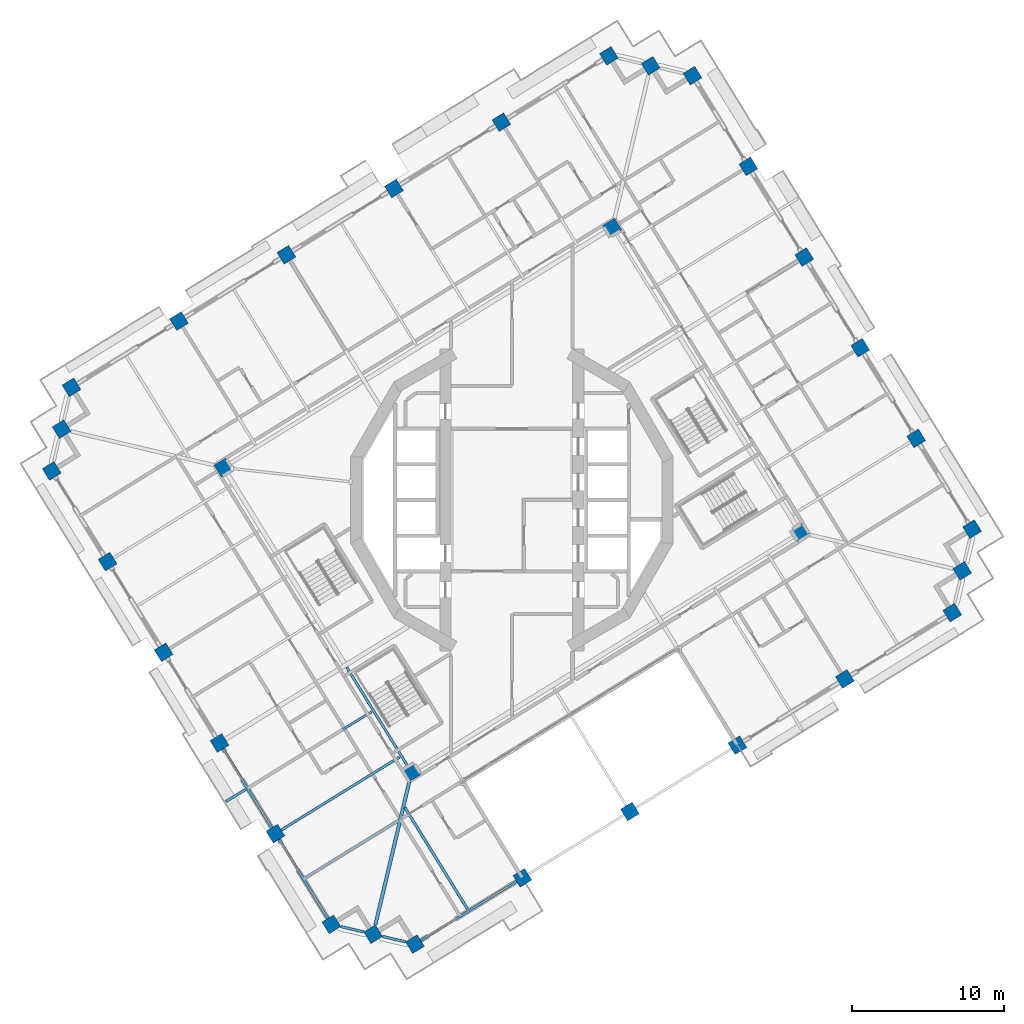
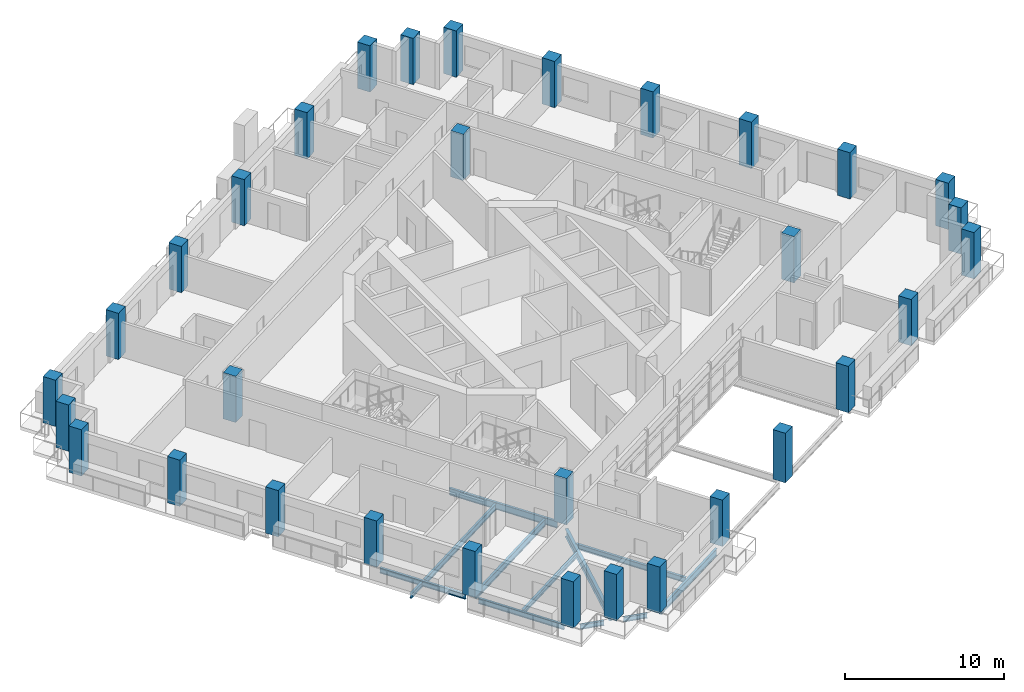
# One storey, part 1 of 22: 32 columns, 12 beams.
"""IFC4 building model written with IfcOpenShell, lengths in metres."""

import ifcopenshell
import ifcopenshell.guid

model = None  # the IFC model being written
_history = None  # IfcOwnerHistory: only IFC2X3 demands one
_inside = {}  # id of a spatial element -> (the spatial element, [elements in it])
_under = {}  # id of a project, library or spatial element -> (it, [spatial elements below it])
_declared = {}  # id of a project -> (the project, [libraries it declares])
_typed = {}  # id of a type object -> (the type object, [elements of that type])
_made_of = {}  # id of a material, layer set ... -> (it, [elements and type objects made of it])


def new_model(schema):
    """Start an empty IFC model of exactly this schema.

    Asked for "IFC4X3", IfcOpenShell would pick the latest addendum, in which some entities
    have other attributes; the version numbers below select the first issue.
    IFC2X3 requires an IfcOwnerHistory on every rooted entity: one is made here for all.
    """
    global model, _history
    if schema == "IFC4X3":
        model = ifcopenshell.file(schema_version=(4, 3, 0, 0))
    else:
        model = ifcopenshell.file(schema=schema)
    _inside.clear()
    _under.clear()
    _declared.clear()
    _typed.clear()
    _made_of.clear()
    _history = None
    if model.schema == "IFC2X3":
        org = make("IfcOrganization", Name="unknown")
        user = make(
            "IfcPersonAndOrganization",
            ThePerson=make("IfcPerson", FamilyName="unknown"),
            TheOrganization=org,
        )
        app = make(
            "IfcApplication",
            ApplicationDeveloper=org,
            Version="unknown",
            ApplicationFullName="unknown",
            ApplicationIdentifier="unknown",
        )
        _history = make(
            "IfcOwnerHistory",
            OwningUser=user,
            OwningApplication=app,
            ChangeAction="ADDED",
            CreationDate=0,
        )
    return model


def make(cls, **values):
    """One entity of the class cls with the attributes given. An attribute that is None is left unset."""
    return model.create_entity(
        cls, **{name: value for name, value in values.items() if value is not None}
    )


def rooted(cls, **values):
    """An entity with a GlobalId (a new one), such as an element, a storey or a relation."""
    return make(cls, GlobalId=ifcopenshell.guid.new(), OwnerHistory=_history, **values)


def si_unit(unit_type, name, prefix=None):
    """IfcSIUnit, for example si_unit("LENGTHUNIT", "METRE", prefix="MILLI")."""
    return make("IfcSIUnit", UnitType=unit_type, Prefix=prefix, Name=name)


def assignment(units):
    """IfcUnitAssignment: the units of a project."""
    return None if units is None else make("IfcUnitAssignment", Units=units)


def point(xyz):
    """IfcCartesianPoint."""
    return None if xyz is None else make("IfcCartesianPoint", Coordinates=xyz)


def direction(xyz):
    """IfcDirection."""
    return None if xyz is None else make("IfcDirection", DirectionRatios=xyz)


def frame(location, z_axis=None, x_axis=None):
    """IfcAxis2Placement3D, a coordinate frame: its origin and axes. An axis left out is left unset."""
    return make(
        "IfcAxis2Placement3D",
        Location=point(location),
        Axis=direction(z_axis),
        RefDirection=direction(x_axis),
    )


def frame_2d(location, x_axis=None):
    """IfcAxis2Placement2D, a coordinate frame in the plane: its origin and x axis."""
    return make(
        "IfcAxis2Placement2D", Location=point(location), RefDirection=direction(x_axis)
    )


def origin():
    """The frame at (0, 0, 0) with its axes left unset."""
    return frame((0.0, 0.0, 0.0))


def origin_2d():
    """The frame at (0, 0) in the plane with its x axis left unset."""
    return frame_2d((0.0, 0.0))


def place(relative_to, where):
    """IfcLocalPlacement: puts the frame where relative to a parent placement (None: the world)."""
    return make(
        "IfcLocalPlacement", PlacementRelTo=relative_to, RelativePlacement=where
    )


def context(
    kind, dimensions, precision=None, world=None, true_north=None, identifier=None
):
    """IfcGeometricRepresentationContext, for example the 3D "Model" context."""
    return make(
        "IfcGeometricRepresentationContext",
        ContextIdentifier=identifier,
        ContextType=kind,
        CoordinateSpaceDimension=dimensions,
        Precision=precision,
        WorldCoordinateSystem=world,
        TrueNorth=true_north,
    )


def subcontext(parent, identifier, kind, view, scale=None):
    """IfcGeometricRepresentationSubContext, for example "Body" below "Model"."""
    return make(
        "IfcGeometricRepresentationSubContext",
        ContextIdentifier=identifier,
        ContextType=kind,
        ParentContext=parent,
        TargetScale=scale,
        TargetView=view,
    )


def project(units=None, contexts=None):
    """IfcProject with its units and contexts."""
    return rooted(
        "IfcProject",
        Name="project",
        RepresentationContexts=contexts,
        UnitsInContext=assignment(units),
    )


def spatial(cls, under=None, at=None, **own):
    """A site, building, storey or space (cls), placed at a placement, below another one or the project."""
    s = rooted(cls, ObjectPlacement=at, **own)
    if under is not None:
        _under.setdefault(under.id(), (under, []))[1].append(s)
    return s


def profile(cls, at=None, kind="AREA", **sizes):
    """A parametric profile (cls). Its sizes go by their IFC names, for example OverallWidth=200.0."""
    return make(cls, ProfileType=kind, Position=at, **sizes)


def rectangle(**sizes):
    """IfcRectangleProfileDef."""
    return profile("IfcRectangleProfileDef", **sizes)


def i_section(**sizes):
    """IfcIShapeProfileDef."""
    return profile("IfcIShapeProfileDef", **sizes)


def extrude(swept, where, along, depth):
    """IfcExtrudedAreaSolid: the profile swept, set in the frame where, extruded along a direction by depth."""
    return make(
        "IfcExtrudedAreaSolid",
        SweptArea=swept,
        Position=where,
        ExtrudedDirection=direction(along),
        Depth=depth,
    )


def shape(context_of_items, identifier, shape_type, items):
    """IfcShapeRepresentation: the items that make up one representation, for example the "Body"."""
    return make(
        "IfcShapeRepresentation",
        ContextOfItems=context_of_items,
        RepresentationIdentifier=identifier,
        RepresentationType=shape_type,
        Items=items,
    )


def material(Name=None, Category=None):
    """IfcMaterial."""
    return make("IfcMaterial", Name=Name, Category=Category)


def material_profile(
    of_material, cross_section, Name=None, Category=None, Priority=None
):
    """IfcMaterialProfile: a cross section and its material."""
    return make(
        "IfcMaterialProfile",
        Name=Name,
        Material=of_material,
        Profile=cross_section,
        Priority=Priority,
        Category=Category,
    )


def profile_set(profiles, Name=None, composite=None):
    """IfcMaterialProfileSet."""
    return make(
        "IfcMaterialProfileSet",
        Name=Name,
        MaterialProfiles=profiles,
        CompositeProfile=composite,
    )


def made_of(thing, what):
    """Note that an element or type object is made of a material, layer set ...; save() writes the relation."""
    if what is not None:
        _made_of.setdefault(what.id(), (what, []))[1].append(thing)
    return thing


def type_object(cls, material=None, **own):
    """A type object (cls), such as IfcWallType, which elements share."""
    return made_of(rooted(cls, **own), material)


def element(
    cls,
    number,
    at=None,
    inside=None,
    cuts=None,
    type_object=None,
    material=None,
    context=None,
    identifier="Body",
    shape_type=None,
    held_by="IfcProductDefinitionShape",
    body=None,
    shapes=None,
    **own,
):
    """One element of the class cls, such as IfcWall. Its Tag is "e" and its number.

    at: its placement. inside: the storey or other place that contains it. cuts: it is an
    opening in that element (IfcRelVoidsElement). A single representation is given by context,
    identifier, shape_type and body (its items); several are given by shapes. held_by: the class
    of the entity that holds the representations. save() writes the other relations.
    """
    e = rooted(cls, Tag="e%d" % number, ObjectPlacement=at, **own)
    if body is not None:
        shapes = [shape(context, identifier, shape_type, body)]
    if shapes is not None:
        e.Representation = make(held_by, Representations=shapes)
    if inside is not None:
        _inside.setdefault(inside.id(), (inside, []))[1].append(e)
    if cuts is not None:
        rooted(
            "IfcRelVoidsElement", RelatingBuildingElement=cuts, RelatedOpeningElement=e
        )
    if type_object is not None:
        _typed.setdefault(type_object.id(), (type_object, []))[1].append(e)
    return made_of(e, material)


def aggregate(whole, parts):
    """IfcRelAggregates: a whole, such as a stair, and the parts it consists of."""
    return rooted("IfcRelAggregates", RelatingObject=whole, RelatedObjects=parts)


def save(model, path):
    """Write the relations noted so far, then the file.

    IfcRelAggregates (storeys below a building ...), IfcRelContainedInSpatialStructure (elements
    in a storey), IfcRelDefinesByType, IfcRelAssociatesMaterial and IfcRelDeclares: one each for
    every whole, place, type object, material and project.
    """
    for whole, parts in _under.values():
        aggregate(whole, parts)
    for where, things in _inside.values():
        rooted(
            "IfcRelContainedInSpatialStructure",
            RelatedElements=things,
            RelatingStructure=where,
        )
    for kind, things in _typed.values():
        rooted("IfcRelDefinesByType", RelatedObjects=things, RelatingType=kind)
    for what, things in _made_of.values():
        rooted("IfcRelAssociatesMaterial", RelatedObjects=things, RelatingMaterial=what)
    for by, libraries in _declared.values():
        rooted("IfcRelDeclares", RelatingContext=by, RelatedDefinitions=libraries)
    model.write(path)


model = new_model("IFC4")

# Units and contexts
model_context = context("Model", 3, precision=1e-05, world=origin(), true_north=direction((0.0, 1.0)))
body_context = subcontext(model_context, "Body", "Model", "MODEL_VIEW")
ifc_project = project(units=[si_unit("LENGTHUNIT", "METRE"), si_unit("AREAUNIT", "SQUARE_METRE"), si_unit("VOLUMEUNIT", "CUBIC_METRE"), si_unit("PLANEANGLEUNIT", "RADIAN"), si_unit("MASSUNIT", "GRAM", prefix="KILO")], contexts=[model_context])

# Site, building, storey
site_placement = place(None, origin())
site = spatial("IfcSite", under=ifc_project, at=site_placement, CompositionType="ELEMENT")
building_placement = place(site_placement, origin())
building = spatial("IfcBuilding", under=site, at=building_placement, Name="Cantera Rosa Tower", CompositionType="ELEMENT")
storey_placement = place(building_placement, frame((0.0, 0.0, 178.0)))
storey = spatial("IfcBuildingStorey", under=building, at=storey_placement, Name="L39", CompositionType="ELEMENT", Elevation=178.0)

# Columns
ifc_material_1 = material(Name="Concrete C60/75", Category="concrete")
ifc_material_profile_1 = material_profile(ifc_material_1, rectangle(XDim=0.89990234375, YDim=0.89990234375, at=origin_2d()), Name="RC COLUMN RC900X900 C60/75")
ifc_profile_set_1 = profile_set([ifc_material_profile_1], Name="Concrete C60/75")
column_type_1 = type_object("IfcColumnType", Name="RC COLUMN RC900X900 C60/75", PredefinedType="COLUMN", material=ifc_profile_set_1)
for number, where, z_axis, x_axis, name in (
    (1, (30.321044921875, -1.917724609375, 0.0), (0.0, 0.0, 1.0), (0.851116672434, 0.52497658034, 0.0), "C-Z3-01 L39"),
    (2, (26.6357421875, 4.05712890625, 0.0), (0.0, 0.0, 1.0), (0.851116672434, 0.52497658034, 0.0), "C-Z3-02 L39"),
    (3, (22.950439453125, 10.031982421875, 0.0), (0.0, 0.0, 1.0), (0.851116672434, 0.52497658034, 0.0), "C-Z3-03 L39"),
    (4, (19.26513671875, 16.0068359375, 0.0), (0.0, 0.0, 1.0), (0.851116672434, 0.52497658034, 0.0), "C-Z3-04 L39"),
    (5, (15.57958984375, 21.981689453125, 0.0), (0.0, 0.0, 1.0), (0.851116672434, 0.52497658034, 0.0), "C-Z3-05 L39"),
    (6, (11.894287109375, 27.95654296875, 0.0), (0.0, 0.0, 1.0), (0.851116672434, 0.52497658034, 0.0), "C-Z3-06 L39"),
    (7, (9.14208984375, 28.60888671875, 0.0), (0.0, 0.0, 1.0), (0.851116672434, 0.52497658034, 0.0), "C-Z3-07 L39"),
    (8, (6.389892578125, 29.260986328125, 0.0), (0.0, 0.0, 1.0), (0.851116672434, 0.52497658034, 0.0), "C-Z3-08 L39"),
    (9, (-0.69140625, 24.893310546875, 0.0), (0.0, 0.0, 1.0), (0.851116672434, 0.52497658034, 0.0), "C-Z3-09 L39"),
    (10, (-7.772705078125, 20.525390625, 0.0), (0.0, 0.0, 1.0), (0.851116672434, 0.52497658034, 0.0), "C-Z3-10 L39"),
    (11, (-14.85400390625, 16.15771484375, 0.0), (0.0, 0.0, 1.0), (0.851116672434, 0.52497658034, 0.0), "C-Z3-11 L39"),
    (12, (-21.935302734375, 11.789794921875, 0.0), (0.0, 0.0, 1.0), (0.851116672434, 0.52497658034, 0.0), "C-Z3-12 L39"),
    (13, (-29.016357421875, 7.422119140625, 0.0), (0.0, 0.0, 1.0), (0.851116672434, 0.52497658034, 0.0), "C-Z3-13 L39"),
    (14, (-29.668701171875, 4.669921875, 0.0), (0.0, 0.0, 1.0), (0.851116672434, 0.52497658034, 0.0), "C-Z3-14 L39"),
    (15, (-30.321044921875, 1.917724609375, 0.0), (0.0, 0.0, 1.0), (0.851116672434, 0.52497658034, 0.0), "C-Z3-15 L39"),
    (16, (-26.6357421875, -4.05712890625, 0.0), (0.0, 0.0, 1.0), (0.851116672434, 0.52497658034, 0.0), "C-Z3-16 L39"),
    (17, (-22.950439453125, -10.031982421875, 0.0), (0.0, 0.0, 1.0), (0.851116672434, 0.52497658034, 0.0), "C-Z3-17 L39"),
    (18, (-19.26513671875, -16.0068359375, 0.0), (0.0, 0.0, 1.0), (0.851116672434, 0.52497658034, 0.0), "C-Z3-18 L39"),
    (19, (-15.57958984375, -21.981689453125, 0.0), (0.0, 0.0, 1.0), (0.851116672434, 0.52497658034, 0.0), "C-Z3-19 L39"),
    (20, (-11.894287109375, -27.95654296875, 0.0), (0.0, 0.0, 1.0), (0.851116672434, 0.52497658034, 0.0), "C-Z3-20 L39"),
    (21, (-9.14208984375, -28.60888671875, 0.0), (0.0, 0.0, 1.0), (0.851116672434, 0.52497658034, 0.0), "C-Z3-21 L39"),
    (22, (-6.389892578125, -29.260986328125, 0.0), (0.0, 0.0, 1.0), (0.851116672434, 0.52497658034, 0.0), "C-Z3-22 L39"),
    (23, (0.69140625, -24.893310546875, 0.0), (0.0, 0.0, 1.0), (0.851116672434, 0.52497658034, 0.0), "C-Z3-23 L39"),
):
    element("IfcColumn", number, at=place(storey_placement, frame(where, z_axis=z_axis, x_axis=x_axis)), inside=storey, type_object=column_type_1, Name=name, PredefinedType="COLUMN", context=body_context, shape_type="SweptSolid", body=[
        extrude(rectangle(XDim=0.89990234375, YDim=0.89990234375, at=origin_2d()), origin(), (0.0, 0.0, 1.0), 3.550048828125),
    ])
column_placement = place(storey_placement, frame((7.772705078125, -20.525390625, -0.25), z_axis=(0.0, 0.0, 1.0), x_axis=(0.851116672434, 0.52497658034, 0.0)))
element("IfcColumn", 24, at=column_placement, inside=storey, type_object=column_type_1, Name="C-Z3-24 L39", PredefinedType="COLUMN", context=body_context, shape_type="SweptSolid", body=[
    extrude(rectangle(XDim=0.89990234375, YDim=0.89990234375, at=origin_2d()), origin(), (0.0, 0.0, 1.0), 3.800048828125),
])
for number, where, z_axis, x_axis, name in (
    (25, (14.85400390625, -16.15771484375, 0.0), (0.0, 0.0, 1.0), (0.851116672434, 0.52497658034, 0.0), "C-Z3-25 L39"),
    (26, (21.935302734375, -11.789794921875, 0.0), (0.0, 0.0, 1.0), (0.851116672434, 0.52497658034, 0.0), "C-Z3-26 L39"),
    (27, (29.016357421875, -7.422119140625, 0.0), (0.0, 0.0, 1.0), (0.851116672434, 0.52497658034, 0.0), "C-Z3-27 L39"),
    (28, (29.668701171875, -4.669921875, 0.0), (0.0, 0.0, 1.0), (0.851116672434, 0.52497658034, 0.0), "C-Z3-28 L39"),
):
    element("IfcColumn", number, at=place(storey_placement, frame(where, z_axis=z_axis, x_axis=x_axis)), inside=storey, type_object=column_type_1, Name=name, PredefinedType="COLUMN", context=body_context, shape_type="SweptSolid", body=[
        extrude(rectangle(XDim=0.89990234375, YDim=0.89990234375, at=origin_2d()), origin(), (0.0, 0.0, 1.0), 3.550048828125),
    ])
ifc_material_2 = material(Name="Concrete C60/75", Category="concrete")
ifc_material_profile_2 = material_profile(ifc_material_2, rectangle(XDim=0.89990234375, YDim=0.89990234375, at=origin_2d()), Name="RC RING COLUMN RC900X900 C60/75")
ifc_profile_set_2 = profile_set([ifc_material_profile_2], Name="Concrete C60/75")
column_type_2 = type_object("IfcColumnType", Name="RC RING COLUMN RC900X900 C60/75", PredefinedType="COLUMN", material=ifc_profile_set_2)
for number, where, z_axis, x_axis, name in (
    (29, (6.614501953125, 17.944091796875, 0.0), (0.0, 0.0, 1.0), (0.851116672434, 0.52497658034, 0.0), "CI-Z3-1 L39"),
    (30, (-19.004150390625, 2.142333984375, 0.0), (0.0, 0.0, 1.0), (0.851116672434, 0.52497658034, 0.0), "CI-Z3-2 L39"),
    (31, (-6.614501953125, -17.944091796875, 0.0), (0.0, 0.0, 1.0), (0.851116672434, 0.52497658034, 0.0), "CI-Z3-3 L39"),
    (32, (19.004150390625, -2.142333984375, 0.0), (0.0, 0.0, 1.0), (0.851116672434, 0.52497658034, 0.0), "CI-Z3-4 L39"),
):
    element("IfcColumn", number, at=place(storey_placement, frame(where, z_axis=z_axis, x_axis=x_axis)), inside=storey, type_object=column_type_2, Name=name, PredefinedType="COLUMN", context=body_context, shape_type="SweptSolid", body=[
        extrude(rectangle(XDim=0.89990234375, YDim=0.89990234375, at=origin_2d()), origin(), (0.0, 0.0, 1.0), 3.550048828125),
    ])

# Beams
ifc_material_3 = material(Name="Steel ASTM A992 (Fy 345 MPa)", Category="steel")
ifc_material_profile_3 = material_profile(ifc_material_3, i_section(OverallWidth=0.166015625, OverallDepth=0.528076171875, WebThickness=0.009765625, FlangeThickness=0.013671875, FilletRadius=0.0126953125, at=origin_2d()), Name="W530X74")
ifc_profile_set_3 = profile_set([ifc_material_profile_3], Name="Steel ASTM A992 (Fy 345 MPa)")
beam_type_1 = type_object("IfcBeamType", Name="STEEL BEAM W530X74", PredefinedType="BEAM", material=ifc_profile_set_3)
beam_1_placement = place(storey_placement, frame((-15.19677734375, -21.745361328125, -0.513916015625), z_axis=(0.851123779764, 0.524965057427, 0.0), x_axis=(-0.524965057427, 0.851123779764, 0.0)))
element("IfcBeam", 33, at=beam_1_placement, inside=storey, type_object=beam_type_1, Name="G-Z3-16 L39", PredefinedType="BEAM", context=body_context, shape_type="SweptSolid", body=[
    extrude(i_section(OverallWidth=0.166015625, OverallDepth=0.528076171875, WebThickness=0.009765625, FlangeThickness=0.013671875, FilletRadius=0.0126953125, at=origin_2d()), origin(), (0.0, 0.0, 1.0), 9.150146484375),
])
beam_2_placement = place(storey_placement, frame((-6.850830078125, -17.56103515625, -0.513916015625), z_axis=(-0.52497571981, 0.851117203216, 0.0), x_axis=(-0.851117203216, -0.52497571981, 0.0)))
element("IfcBeam", 34, at=beam_2_placement, inside=storey, type_object=beam_type_1, Name="RB-Z3-07 L39", PredefinedType="BEAM", context=body_context, shape_type="SweptSolid", body=[
    extrude(i_section(OverallWidth=0.166015625, OverallDepth=0.528076171875, WebThickness=0.009765625, FlangeThickness=0.013671875, FilletRadius=0.0126953125, at=origin_2d()), origin(), (0.0, 0.0, 1.0), 7.690185546875),
])
ifc_material_4 = material(Name="Steel ASTM A992 (Fy 345 MPa)", Category="steel")
ifc_material_profile_4 = material_profile(ifc_material_4, i_section(OverallWidth=0.22802734375, OverallDepth=0.60205078125, WebThickness=0.010498046875, FlangeThickness=0.014892578125, FilletRadius=0.0126953125, at=origin_2d()), Name="W610X101")
ifc_profile_set_4 = profile_set([ifc_material_profile_4], Name="Steel ASTM A992 (Fy 345 MPa)")
beam_type_2 = type_object("IfcBeamType", Name="STEEL BEAM W610X101", PredefinedType="BEAM", material=ifc_profile_set_4)
beam_3_placement = place(storey_placement, frame((-8.995361328125, -27.989501953125, -0.551025390625), z_axis=(0.230622120091, 0.973043389436, 0.0), x_axis=(-0.973043389436, 0.230622120091, 0.0)))
element("IfcBeam", 35, at=beam_3_placement, inside=storey, type_object=beam_type_2, Name="CB-Z3-03 L39", PredefinedType="BEAM", context=body_context, shape_type="SweptSolid", body=[
    extrude(i_section(OverallWidth=0.22802734375, OverallDepth=0.60205078125, WebThickness=0.010498046875, FlangeThickness=0.014892578125, FilletRadius=0.0126953125, at=origin_2d()), origin(), (0.0, 0.0, 1.0), 9.6875),
])
ifc_material_5 = material(Name="Steel ASTM A992 (Fy 345 MPa)", Category="steel")
ifc_material_profile_5 = material_profile(ifc_material_5, i_section(OverallWidth=0.1708984375, OverallDepth=0.35595703125, WebThickness=0.00732421875, FlangeThickness=0.01171875, FilletRadius=0.010009765625, at=origin_2d()), Name="W360X51")
ifc_profile_set_5 = profile_set([ifc_material_profile_5], Name="Steel ASTM A992 (Fy 345 MPa)")
beam_type_3 = type_object("IfcBeamType", Name="STEEL JOIST W360X51", PredefinedType="JOIST", material=ifc_profile_set_5)
beam_4_placement = place(storey_placement, frame((-13.609375, -24.890380859375, -0.427978515625), z_axis=(0.851109089911, 0.524988873283, 0.0), x_axis=(-0.524988873283, 0.851109089911, 0.0)))
element("IfcBeam", 36, at=beam_4_placement, inside=storey, type_object=beam_type_3, Name="B-Z3-20 L39", PredefinedType="JOIST", context=body_context, shape_type="SweptSolid", body=[
    extrude(i_section(OverallWidth=0.1708984375, OverallDepth=0.35595703125, WebThickness=0.00732421875, FlangeThickness=0.01171875, FilletRadius=0.010009765625, at=origin_2d()), origin(), (0.0, 0.0, 1.0), 7.2099609375),
])
beam_5_placement = place(storey_placement, frame((-17.532958984375, -19.0625, -0.427978515625), z_axis=(-0.851148289142, -0.524925318393, 0.0), x_axis=(0.524925318393, -0.851148289142, 0.0)))
element("IfcBeam", 37, at=beam_5_placement, inside=storey, type_object=beam_type_3, Name="BS-Z3-22 L39", PredefinedType="JOIST", context=body_context, shape_type="SweptSolid", body=[
    extrude(i_section(OverallWidth=0.1708984375, OverallDepth=0.35595703125, WebThickness=0.00732421875, FlangeThickness=0.01171875, FilletRadius=0.010009765625, at=origin_2d()), origin(), (0.0, 0.0, 1.0), 1.52978515625),
])
ifc_material_6 = material(Name="Steel ASTM A992 (Fy 345 MPa)", Category="steel")
ifc_material_profile_6 = material_profile(ifc_material_6, i_section(OverallWidth=0.177978515625, OverallDepth=0.406005859375, WebThickness=0.0078125, FlangeThickness=0.0126953125, FilletRadius=0.01025390625, at=origin_2d()), Name="W410X60")
ifc_profile_set_6 = profile_set([ifc_material_profile_6], Name="Steel ASTM A992 (Fy 345 MPa)")
beam_type_4 = type_object("IfcBeamType", Name="STEEL JOIST W410X60", PredefinedType="JOIST", material=ifc_profile_set_6)
beam_6_placement = place(storey_placement, frame((-2.927978515625, -26.949462890625, -0.452880859375), z_axis=(-0.524994840515, 0.85110540912, 0.0), x_axis=(-0.85110540912, -0.524994840515, 0.0)))
element("IfcBeam", 38, at=beam_6_placement, inside=storey, type_object=beam_type_4, Name="B-Z3-11 L39", PredefinedType="JOIST", context=body_context, shape_type="SweptSolid", body=[
    extrude(i_section(OverallWidth=0.177978515625, OverallDepth=0.406005859375, WebThickness=0.0078125, FlangeThickness=0.0126953125, FilletRadius=0.01025390625, at=origin_2d()), origin(), (0.0, 0.0, 1.0), 7.860107421875),
])
ifc_material_7 = material(Name="Steel ASTM A992 (Fy 345 MPa)", Category="steel")
ifc_material_profile_7 = material_profile(ifc_material_7, i_section(OverallWidth=0.154052734375, OverallDepth=0.4599609375, WebThickness=0.009033203125, FlangeThickness=0.015380859375, FilletRadius=0.01025390625, at=origin_2d()), Name="W460X68")
ifc_profile_set_7 = profile_set([ifc_material_profile_7], Name="Steel ASTM A992 (Fy 345 MPa)")
beam_type_5 = type_object("IfcBeamType", Name="STEEL JOIST W460X68", PredefinedType="JOIST", material=ifc_profile_set_7)
beam_7_placement = place(storey_placement, frame((-17.294677734375, -18.91552734375, -0.47998046875), z_axis=(0.851118539758, 0.524973552935, 0.0), x_axis=(-0.524973552935, 0.851118539758, 0.0)))
element("IfcBeam", 39, at=beam_7_placement, inside=storey, type_object=beam_type_5, Name="B-Z3-19 L39", PredefinedType="JOIST", context=body_context, shape_type="SweptSolid", body=[
    extrude(i_section(OverallWidth=0.154052734375, OverallDepth=0.4599609375, WebThickness=0.009033203125, FlangeThickness=0.015380859375, FilletRadius=0.01025390625, at=origin_2d()), origin(), (0.0, 0.0, 1.0), 9.449951171875),
])
ifc_material_8 = material(Name="Steel ASTM A992 (Fy 345 MPa)", Category="steel")
ifc_material_profile_8 = material_profile(ifc_material_8, i_section(OverallWidth=0.1708984375, OverallDepth=0.35595703125, WebThickness=0.00732421875, FlangeThickness=0.01171875, FilletRadius=0.010009765625, at=origin_2d()), Name="W360X51")
ifc_profile_set_8 = profile_set([ifc_material_profile_8], Name="Steel ASTM A992 (Fy 345 MPa)")
beam_type_6 = type_object("IfcBeamType", Name="STEEL SPANDREL BEAM W360X51", PredefinedType="SPANDREL", material=ifc_profile_set_8)
for number, where, z_axis, x_axis, name in (
    (40, (-11.275146484375, -28.103271484375, -0.427978515625), (0.973059906546, -0.230552419793, 0.0), (0.230552419793, 0.973059906546, 0.0), "EB-Z3-20 L39"),
    (41, (-8.52294921875, -28.755615234375, -0.427978515625), (0.973059906546, -0.230552419793, 0.0), (0.230552419793, 0.973059906546, 0.0), "EB-Z3-21 L39"),
):
    element("IfcBeam", number, at=place(storey_placement, frame(where, z_axis=z_axis, x_axis=x_axis)), inside=storey, type_object=beam_type_6, Name=name, PredefinedType="SPANDREL", context=body_context, shape_type="SweptSolid", body=[
        extrude(i_section(OverallWidth=0.1708984375, OverallDepth=0.35595703125, WebThickness=0.00732421875, FlangeThickness=0.01171875, FilletRadius=0.010009765625, at=origin_2d()), origin(), (0.0, 0.0, 1.0), 1.5556640625),
    ])
ifc_material_9 = material(Name="Steel ASTM A992 (Fy 345 MPa)", Category="steel")
ifc_material_profile_9 = material_profile(ifc_material_9, i_section(OverallWidth=0.177978515625, OverallDepth=0.406005859375, WebThickness=0.0078125, FlangeThickness=0.0126953125, FilletRadius=0.01025390625, at=origin_2d()), Name="W410X60")
ifc_profile_set_9 = profile_set([ifc_material_profile_9], Name="Steel ASTM A992 (Fy 345 MPa)")
beam_type_7 = type_object("IfcBeamType", Name="STEEL SPANDREL BEAM W410X60", PredefinedType="SPANDREL", material=ifc_profile_set_9)
for number, where, z_axis, x_axis, name in (
    (42, (-19.02880859375, -16.389892578125, -0.452880859375), (0.524987447654, -0.851109969279, 0.0), (0.851109969279, 0.524987447654, 0.0), "EB-Z3-18 L39"),
    (43, (-15.343505859375, -22.36474609375, -0.452880859375), (0.524987447654, -0.851109969279, 0.0), (0.851109969279, 0.524987447654, 0.0), "EB-Z3-19 L39"),
):
    element("IfcBeam", number, at=place(storey_placement, frame(where, z_axis=z_axis, x_axis=x_axis)), inside=storey, type_object=beam_type_7, Name=name, PredefinedType="SPANDREL", context=body_context, shape_type="SweptSolid", body=[
        extrude(i_section(OverallWidth=0.177978515625, OverallDepth=0.406005859375, WebThickness=0.0078125, FlangeThickness=0.0126953125, FilletRadius=0.01025390625, at=origin_2d()), origin(), (0.0, 0.0, 1.0), 6.119873046875),
    ])
ifc_material_10 = material(Name="Steel ASTM A992 (Fy 345 MPa)", Category="steel")
ifc_material_profile_10 = material_profile(ifc_material_10, i_section(OverallWidth=0.166015625, OverallDepth=0.528076171875, WebThickness=0.009765625, FlangeThickness=0.013671875, FilletRadius=0.0126953125, at=origin_2d()), Name="W530X74")
ifc_profile_set_10 = profile_set([ifc_material_profile_10], Name="Steel ASTM A992 (Fy 345 MPa)")
beam_type_8 = type_object("IfcBeamType", Name="STEEL SPANDREL BEAM W530X74", PredefinedType="SPANDREL", material=ifc_profile_set_10)
beam_8_placement = place(storey_placement, frame((-6.007080078125, -29.02490234375, -0.513916015625), z_axis=(0.851111085575, 0.524985637909, 0.0), x_axis=(-0.524985637909, 0.851111085575, 0.0)))
element("IfcBeam", 44, at=beam_8_placement, inside=storey, type_object=beam_type_8, Name="EB-Z3-22 L39", PredefinedType="SPANDREL", context=body_context, shape_type="SweptSolid", body=[
    extrude(i_section(OverallWidth=0.166015625, OverallDepth=0.528076171875, WebThickness=0.009765625, FlangeThickness=0.013671875, FilletRadius=0.0126953125, at=origin_2d()), origin(), (0.0, 0.0, 1.0), 7.420166015625),
])

save(model, "model.ifc")
